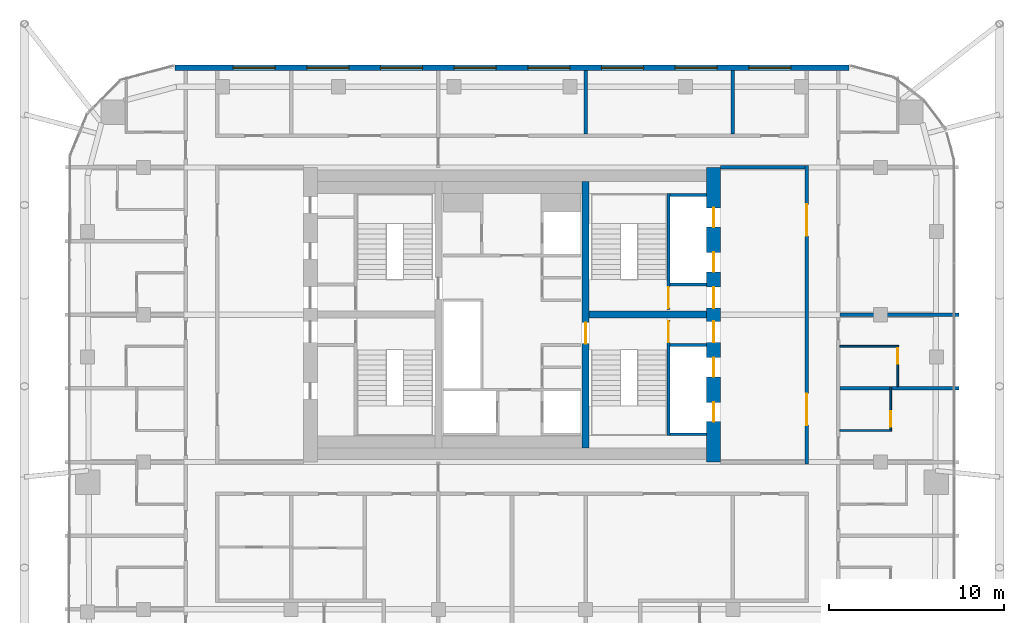
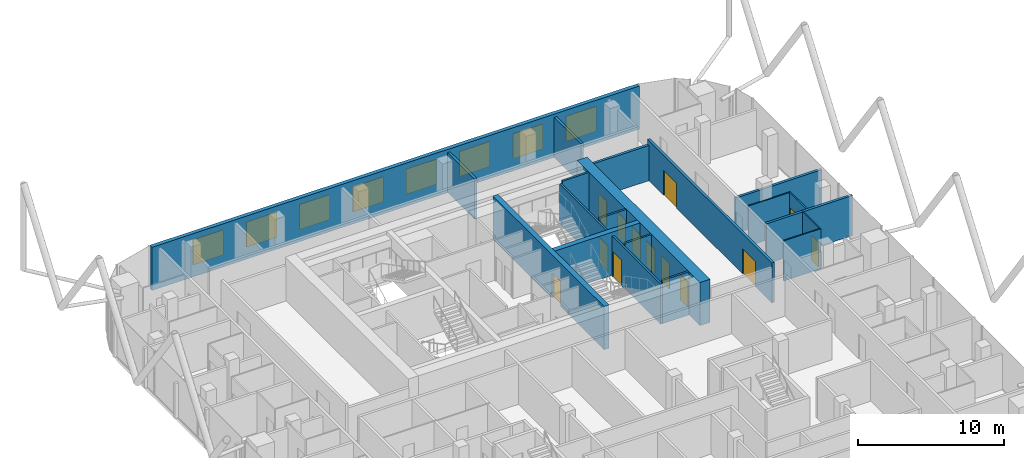
# One storey, part 29 of 31: 20 walls, 13 doors, 8 windows, 21 openings.
"""IFC4 building model written with IfcOpenShell, lengths in metres."""

from ifc_helpers import new_model, si_unit, direction, frame, frame_2d, origin, place, context, subcontext, project, spatial, rectangle, extrude, material, layer, layer_set, type_object, element, fill, save


model = new_model("IFC4")

# Units and contexts
model_context = context("Model", 3, precision=1e-05, world=origin(), true_north=direction((0.0, 1.0)))
body_context = subcontext(model_context, "Body", "Model", "MODEL_VIEW")
ifc_project = project(units=[si_unit("LENGTHUNIT", "METRE"), si_unit("AREAUNIT", "SQUARE_METRE"), si_unit("VOLUMEUNIT", "CUBIC_METRE"), si_unit("PLANEANGLEUNIT", "RADIAN"), si_unit("MASSUNIT", "GRAM", prefix="KILO")], contexts=[model_context])

# Site, building, storey
site_placement = place(None, origin())
site = spatial("IfcSite", under=ifc_project, at=site_placement, CompositionType="ELEMENT")
building_placement = place(site_placement, origin())
building = spatial("IfcBuilding", under=site, at=building_placement, Name="Marenta Gate Hotel Tower", CompositionType="ELEMENT")
storey_placement = place(building_placement, frame((0.0, 0.0, 191.300048828125)))
storey = spatial("IfcBuildingStorey", under=building, at=storey_placement, Name="L43", CompositionType="ELEMENT", Elevation=191.300048828125)

# Wall, openings, windows
ifc_material_1 = material(Name="Concrete C40 board-marked", Category="concrete")
ifc_layer_1 = layer(ifc_material_1, 0.300048828125)
ifc_layer_set_1 = layer_set([ifc_layer_1], Name="Concrete C40 board-marked")
wall_type_1 = type_object("IfcWallType", Name="Board-marked concrete wall 300 mm", PredefinedType="NOTDEFINED", material=ifc_layer_set_1)
wall_1_placement = place(storey_placement, frame((19.205810546875, 22.489990234375, 0.0), z_axis=(0.0, 0.0, 1.0), x_axis=(-1.0, 0.0, 0.0)))
wall_1 = element("IfcWall", 1, at=wall_1_placement, inside=storey, type_object=wall_type_1, Name="L43-CLD-N00", PredefinedType="NOTDEFINED", context=body_context, shape_type="SweptSolid", body=[
    extrude(rectangle(XDim=38.41162109375, YDim=0.300048828125, at=frame_2d((19.205810546875, 0.0))), origin(), (0.0, 0.0, 1.0), 3.599853515625),
])
opening_1_placement = place(wall_1_placement, frame((3.305908203125, 0.0, 0.89990234375)))
opening_1 = element("IfcOpeningElement", 2, at=opening_1_placement, cuts=wall_1, Name="Opening W1", PredefinedType="OPENING", context=body_context, shape_type="SweptSolid", body=[
    extrude(rectangle(XDim=2.39990234375, YDim=2.10009765625, at=frame_2d((1.199951171875, 1.050048828125))), frame((0.0, 0.14990234375, 0.0), z_axis=(0.0, -1.0, 0.0), x_axis=(1.0, 0.0, 0.0)), (0.0, 0.0, 1.0), 0.300048828125),
])
opening_2_placement = place(wall_1_placement, frame((7.505859375, 0.0, 0.89990234375)))
opening_2 = element("IfcOpeningElement", 3, at=opening_2_placement, cuts=wall_1, Name="Opening W1", PredefinedType="OPENING", context=body_context, shape_type="SweptSolid", body=[
    extrude(rectangle(XDim=2.39990234375, YDim=2.10009765625, at=frame_2d((1.199951171875, 1.050048828125))), frame((0.0, 0.14990234375, 0.0), z_axis=(0.0, -1.0, 0.0), x_axis=(1.0, 0.0, 0.0)), (0.0, 0.0, 1.0), 0.300048828125),
])
opening_3_placement = place(wall_1_placement, frame((11.705810546875, 0.0, 0.89990234375)))
opening_3 = element("IfcOpeningElement", 4, at=opening_3_placement, cuts=wall_1, Name="Opening W1", PredefinedType="OPENING", context=body_context, shape_type="SweptSolid", body=[
    extrude(rectangle(XDim=2.39990234375, YDim=2.10009765625, at=frame_2d((1.199951171875, 1.050048828125))), frame((0.0, 0.14990234375, 0.0), z_axis=(0.0, -1.0, 0.0), x_axis=(1.0, 0.0, 0.0)), (0.0, 0.0, 1.0), 0.300048828125),
])
opening_4_placement = place(wall_1_placement, frame((15.906005859375, 0.0, 0.89990234375)))
opening_4 = element("IfcOpeningElement", 5, at=opening_4_placement, cuts=wall_1, Name="Opening W1", PredefinedType="OPENING", context=body_context, shape_type="SweptSolid", body=[
    extrude(rectangle(XDim=2.39990234375, YDim=2.10009765625, at=frame_2d((1.199951171875, 1.050048828125))), frame((0.0, 0.14990234375, 0.0), z_axis=(0.0, -1.0, 0.0), x_axis=(1.0, 0.0, 0.0)), (0.0, 0.0, 1.0), 0.300048828125),
])
opening_5_placement = place(wall_1_placement, frame((20.10595703125, 0.0, 0.89990234375)))
opening_5 = element("IfcOpeningElement", 6, at=opening_5_placement, cuts=wall_1, Name="Opening W1", PredefinedType="OPENING", context=body_context, shape_type="SweptSolid", body=[
    extrude(rectangle(XDim=2.39990234375, YDim=2.10009765625, at=frame_2d((1.199951171875, 1.050048828125))), frame((0.0, 0.14990234375, 0.0), z_axis=(0.0, -1.0, 0.0), x_axis=(1.0, 0.0, 0.0)), (0.0, 0.0, 1.0), 0.300048828125),
])
opening_6_placement = place(wall_1_placement, frame((24.305908203125, 0.0, 0.89990234375)))
opening_6 = element("IfcOpeningElement", 7, at=opening_6_placement, cuts=wall_1, Name="Opening W1", PredefinedType="OPENING", context=body_context, shape_type="SweptSolid", body=[
    extrude(rectangle(XDim=2.39990234375, YDim=2.10009765625, at=frame_2d((1.199951171875, 1.050048828125))), frame((0.0, 0.14990234375, 0.0), z_axis=(0.0, -1.0, 0.0), x_axis=(1.0, 0.0, 0.0)), (0.0, 0.0, 1.0), 0.300048828125),
])
opening_7_placement = place(wall_1_placement, frame((28.505859375, 0.0, 0.89990234375)))
opening_7 = element("IfcOpeningElement", 8, at=opening_7_placement, cuts=wall_1, Name="Opening W1", PredefinedType="OPENING", context=body_context, shape_type="SweptSolid", body=[
    extrude(rectangle(XDim=2.39990234375, YDim=2.10009765625, at=frame_2d((1.199951171875, 1.050048828125))), frame((0.0, 0.14990234375, 0.0), z_axis=(0.0, -1.0, 0.0), x_axis=(1.0, 0.0, 0.0)), (0.0, 0.0, 1.0), 0.300048828125),
])
opening_8_placement = place(wall_1_placement, frame((32.705810546875, 0.0, 0.89990234375)))
opening_8 = element("IfcOpeningElement", 9, at=opening_8_placement, cuts=wall_1, Name="Opening W1", PredefinedType="OPENING", context=body_context, shape_type="SweptSolid", body=[
    extrude(rectangle(XDim=2.39990234375, YDim=2.10009765625, at=frame_2d((1.199951171875, 1.050048828125))), frame((0.0, 0.14990234375, 0.0), z_axis=(0.0, -1.0, 0.0), x_axis=(1.0, 0.0, 0.0)), (0.0, 0.0, 1.0), 0.300048828125),
])
ifc_material_2 = material(Name="Tinted insulated glass in bronze anodised frame", Category="glass")
window_type = type_object("IfcWindowType", Name="Window W1 2400x2100 bronze frame", PartitioningType="SINGLE_PANEL", PredefinedType="WINDOW", material=ifc_material_2)
window_1_placement = place(opening_1_placement, origin())
window_1 = element("IfcWindow", 10, at=window_1_placement, inside=storey, type_object=window_type, Name="Window W1", OverallHeight=2.10009765625, OverallWidth=2.39990234375, PartitioningType="SINGLE_PANEL", PredefinedType="WINDOW", context=body_context, shape_type="SweptSolid", body=[
    extrude(rectangle(XDim=2.39990234375, YDim=2.10009765625, at=frame_2d((1.199951171875, 1.050048828125))), frame((0.0, 0.030029296875, 0.0), z_axis=(0.0, -1.0, 0.0), x_axis=(1.0, 0.0, 0.0)), (0.0, 0.0, 1.0), 0.06005859375),
])
fill(opening_1, window_1)
window_2_placement = place(opening_2_placement, origin())
window_2 = element("IfcWindow", 11, at=window_2_placement, inside=storey, type_object=window_type, Name="Window W1", OverallHeight=2.10009765625, OverallWidth=2.39990234375, PartitioningType="SINGLE_PANEL", PredefinedType="WINDOW", context=body_context, shape_type="SweptSolid", body=[
    extrude(rectangle(XDim=2.39990234375, YDim=2.10009765625, at=frame_2d((1.199951171875, 1.050048828125))), frame((0.0, 0.030029296875, 0.0), z_axis=(0.0, -1.0, 0.0), x_axis=(1.0, 0.0, 0.0)), (0.0, 0.0, 1.0), 0.06005859375),
])
fill(opening_2, window_2)
window_3_placement = place(opening_3_placement, origin())
window_3 = element("IfcWindow", 12, at=window_3_placement, inside=storey, type_object=window_type, Name="Window W1", OverallHeight=2.10009765625, OverallWidth=2.39990234375, PartitioningType="SINGLE_PANEL", PredefinedType="WINDOW", context=body_context, shape_type="SweptSolid", body=[
    extrude(rectangle(XDim=2.39990234375, YDim=2.10009765625, at=frame_2d((1.199951171875, 1.050048828125))), frame((0.0, 0.030029296875, 0.0), z_axis=(0.0, -1.0, 0.0), x_axis=(1.0, 0.0, 0.0)), (0.0, 0.0, 1.0), 0.06005859375),
])
fill(opening_3, window_3)
window_4_placement = place(opening_4_placement, origin())
window_4 = element("IfcWindow", 13, at=window_4_placement, inside=storey, type_object=window_type, Name="Window W1", OverallHeight=2.10009765625, OverallWidth=2.39990234375, PartitioningType="SINGLE_PANEL", PredefinedType="WINDOW", context=body_context, shape_type="SweptSolid", body=[
    extrude(rectangle(XDim=2.39990234375, YDim=2.10009765625, at=frame_2d((1.199951171875, 1.050048828125))), frame((0.0, 0.030029296875, 0.0), z_axis=(0.0, -1.0, 0.0), x_axis=(1.0, 0.0, 0.0)), (0.0, 0.0, 1.0), 0.06005859375),
])
fill(opening_4, window_4)
window_5_placement = place(opening_5_placement, origin())
window_5 = element("IfcWindow", 14, at=window_5_placement, inside=storey, type_object=window_type, Name="Window W1", OverallHeight=2.10009765625, OverallWidth=2.39990234375, PartitioningType="SINGLE_PANEL", PredefinedType="WINDOW", context=body_context, shape_type="SweptSolid", body=[
    extrude(rectangle(XDim=2.39990234375, YDim=2.10009765625, at=frame_2d((1.199951171875, 1.050048828125))), frame((0.0, 0.030029296875, 0.0), z_axis=(0.0, -1.0, 0.0), x_axis=(1.0, 0.0, 0.0)), (0.0, 0.0, 1.0), 0.06005859375),
])
fill(opening_5, window_5)
window_6_placement = place(opening_6_placement, origin())
window_6 = element("IfcWindow", 15, at=window_6_placement, inside=storey, type_object=window_type, Name="Window W1", OverallHeight=2.10009765625, OverallWidth=2.39990234375, PartitioningType="SINGLE_PANEL", PredefinedType="WINDOW", context=body_context, shape_type="SweptSolid", body=[
    extrude(rectangle(XDim=2.39990234375, YDim=2.10009765625, at=frame_2d((1.199951171875, 1.050048828125))), frame((0.0, 0.030029296875, 0.0), z_axis=(0.0, -1.0, 0.0), x_axis=(1.0, 0.0, 0.0)), (0.0, 0.0, 1.0), 0.06005859375),
])
fill(opening_6, window_6)
window_7_placement = place(opening_7_placement, origin())
window_7 = element("IfcWindow", 16, at=window_7_placement, inside=storey, type_object=window_type, Name="Window W1", OverallHeight=2.10009765625, OverallWidth=2.39990234375, PartitioningType="SINGLE_PANEL", PredefinedType="WINDOW", context=body_context, shape_type="SweptSolid", body=[
    extrude(rectangle(XDim=2.39990234375, YDim=2.10009765625, at=frame_2d((1.199951171875, 1.050048828125))), frame((0.0, 0.030029296875, 0.0), z_axis=(0.0, -1.0, 0.0), x_axis=(1.0, 0.0, 0.0)), (0.0, 0.0, 1.0), 0.06005859375),
])
fill(opening_7, window_7)
window_8_placement = place(opening_8_placement, origin())
window_8 = element("IfcWindow", 17, at=window_8_placement, inside=storey, type_object=window_type, Name="Window W1", OverallHeight=2.10009765625, OverallWidth=2.39990234375, PartitioningType="SINGLE_PANEL", PredefinedType="WINDOW", context=body_context, shape_type="SweptSolid", body=[
    extrude(rectangle(XDim=2.39990234375, YDim=2.10009765625, at=frame_2d((1.199951171875, 1.050048828125))), frame((0.0, 0.030029296875, 0.0), z_axis=(0.0, -1.0, 0.0), x_axis=(1.0, 0.0, 0.0)), (0.0, 0.0, 1.0), 0.06005859375),
])
fill(opening_8, window_8)

# Wall, openings, doors
ifc_material_3 = material(Name="Concrete blockwork", Category="masonry")
ifc_layer_2 = layer(ifc_material_3, 0.199951171875)
ifc_layer_set_2 = layer_set([ifc_layer_2], Name="Concrete blockwork")
wall_type_2 = type_object("IfcWallType", Name="Core boundary wall 200 REI 180", PredefinedType="PARTITIONING", material=ifc_layer_set_2)
wall_2_placement = place(storey_placement, frame((16.800048828125, -0.10009765625, 0.0), z_axis=(0.0, 0.0, 1.0), x_axis=(0.0, 1.0, 0.0)))
wall_2 = element("IfcWall", 18, at=wall_2_placement, inside=storey, type_object=wall_type_2, Name="L43-CP-BW-E", PredefinedType="PARTITIONING", context=body_context, shape_type="SweptSolid", body=[
    extrude(rectangle(XDim=17.0, YDim=0.199951171875, at=frame_2d((8.5, 0.0))), origin(), (0.0, 0.0, 1.0), 3.33984375),
])
opening_9_placement = place(wall_2_placement, frame((2.199951171875, 0.0, 0.0)))
opening_9 = element("IfcOpeningElement", 19, at=opening_9_placement, cuts=wall_2, Name="Opening ED-Ea-B", PredefinedType="OPENING", context=body_context, shape_type="SweptSolid", body=[
    extrude(rectangle(XDim=1.800048828125, YDim=2.10009765625, at=frame_2d((0.89990234375, 1.050048828125))), frame((0.0, 0.10009765625, 0.0), z_axis=(0.0, -1.0, 0.0), x_axis=(1.0, 0.0, 0.0)), (0.0, 0.0, 1.0), 0.199951171875),
])
opening_10_placement = place(wall_2_placement, frame((13.0, 0.0, 0.0)))
opening_10 = element("IfcOpeningElement", 20, at=opening_10_placement, cuts=wall_2, Name="Opening ED-Eb-B", PredefinedType="OPENING", context=body_context, shape_type="SweptSolid", body=[
    extrude(rectangle(XDim=1.800048828125, YDim=2.10009765625, at=frame_2d((0.89990234375, 1.050048828125))), frame((0.0, 0.10009765625, 0.0), z_axis=(0.0, -1.0, 0.0), x_axis=(1.0, 0.0, 0.0)), (0.0, 0.0, 1.0), 0.199951171875),
])
ifc_material_4 = material(Name="Steel", Category="steel")
door_type_1 = type_object("IfcDoorType", Name="Core lobby entrance door 1800x2100 EI 60", OperationType="DOUBLE_DOOR_SINGLE_SWING", PredefinedType="DOOR", material=ifc_material_4)
door_1_placement = place(opening_9_placement, origin())
door_1 = element("IfcDoor", 21, at=door_1_placement, inside=storey, type_object=door_type_1, Name="ED-Ea-B", OperationType="DOUBLE_DOOR_SINGLE_SWING", OverallHeight=2.10009765625, OverallWidth=1.800048828125, PredefinedType="DOOR", context=body_context, shape_type="SweptSolid", body=[
    extrude(rectangle(XDim=1.800048828125, YDim=2.10009765625, at=frame_2d((0.89990234375, 1.050048828125))), frame((0.0, 0.02490234375, 0.0), z_axis=(0.0, -1.0, 0.0), x_axis=(1.0, 0.0, 0.0)), (0.0, 0.0, 1.0), 0.050048828125),
])
fill(opening_9, door_1)
door_2_placement = place(opening_10_placement, origin())
door_2 = element("IfcDoor", 22, at=door_2_placement, inside=storey, type_object=door_type_1, Name="ED-Eb-B", OperationType="DOUBLE_DOOR_SINGLE_SWING", OverallHeight=2.10009765625, OverallWidth=1.800048828125, PredefinedType="DOOR", context=body_context, shape_type="SweptSolid", body=[
    extrude(rectangle(XDim=1.800048828125, YDim=2.10009765625, at=frame_2d((0.89990234375, 1.050048828125))), frame((0.0, 0.02490234375, 0.0), z_axis=(0.0, -1.0, 0.0), x_axis=(1.0, 0.0, 0.0)), (0.0, 0.0, 1.0), 0.050048828125),
])
fill(opening_10, door_2)

# Walls
wall_3_placement = place(storey_placement, frame((11.89990234375, 16.800048828125, 0.0), z_axis=(0.0, 0.0, 1.0), x_axis=(1.0, 0.0, 0.0)))
element("IfcWall", 23, at=wall_3_placement, inside=storey, type_object=wall_type_2, Name="L43-CP-EW-EN", PredefinedType="PARTITIONING", context=body_context, shape_type="SweptSolid", body=[
    extrude(rectangle(XDim=4.800048828125, YDim=0.199951171875, at=frame_2d((2.39990234375, 0.0))), origin(), (0.0, 0.0, 1.0), 2.93994140625),
])
ifc_material_5 = material(Name="Concrete C40", Category="concrete")
ifc_layer_3 = layer(ifc_material_5, 0.14990234375)
ifc_layer_set_3 = layer_set([ifc_layer_3], Name="Concrete C40")
wall_type_3 = type_object("IfcWallType", Name="Core shaft wall 150 REI 180", PredefinedType="SHEAR", material=ifc_layer_set_3)
for number, where, z_axis, x_axis, name in (
    (24, (9.0, 6.675048828125, 0.0), (0.0, 0.0, 1.0), (1.0, 0.0, 0.0), "L43-SHF-SW-ES-2"),
    (25, (9.0, 1.574951171875, 0.0), (0.0, 0.0, 1.0), (1.0, 0.0, 0.0), "L43-SHF-SW-ES-5"),
    (26, (9.0, 10.125, 0.0), (0.0, 0.0, 1.0), (1.0, 0.0, 0.0), "L43-SHF-SW-EN-2"),
    (27, (9.0, 15.22509765625, 0.0), (0.0, 0.0, 1.0), (1.0, 0.0, 0.0), "L43-SHF-SW-EN-5"),
):
    element("IfcWall", number, at=place(storey_placement, frame(where, z_axis=z_axis, x_axis=x_axis)), inside=storey, type_object=wall_type_3, Name=name, PredefinedType="SHEAR", context=body_context, shape_type="SweptSolid", body=[
        extrude(rectangle(XDim=2.10009765625, YDim=0.14990234375, at=frame_2d((1.050048828125, 0.0))), origin(), (0.0, 0.0, 1.0), 3.599853515625),
    ])

# Wall, opening, door
ifc_material_6 = material(Name="Concrete C40", Category="concrete")
ifc_layer_4 = layer(ifc_material_6, 0.14990234375)
ifc_layer_set_4 = layer_set([ifc_layer_4], Name="Concrete C40")
wall_type_4 = type_object("IfcWallType", Name="Core stair enclosure wall 150 REI 180", PredefinedType="SHEAR", material=ifc_layer_set_4)
wall_4_placement = place(storey_placement, frame((8.925048828125, 1.5, 0.0), z_axis=(0.0, 0.0, 1.0), x_axis=(0.0, 1.0, 0.0)))
wall_4 = element("IfcWall", 28, at=wall_4_placement, inside=storey, type_object=wall_type_4, Name="L43-SHF-SW-ES-3", PredefinedType="SHEAR", context=body_context, shape_type="SweptSolid", body=[
    extrude(rectangle(XDim=6.60009765625, YDim=0.14990234375, at=frame_2d((3.300048828125, 0.0))), origin(), (0.0, 0.0, 1.0), 3.33984375),
])
opening_11_placement = place(wall_4_placement, frame((5.324951171875, 0.0, 0.0)))
opening_11 = element("IfcOpeningElement", 29, at=opening_11_placement, cuts=wall_4, Name="Opening SD-ES", PredefinedType="OPENING", context=body_context, shape_type="SweptSolid", body=[
    extrude(rectangle(XDim=1.199951171875, YDim=2.10009765625, at=frame_2d((0.60009765625, 1.050048828125))), frame((0.0, 0.074951171875, 0.0), z_axis=(0.0, -1.0, 0.0), x_axis=(1.0, 0.0, 0.0)), (0.0, 0.0, 1.0), 0.14990234375),
])
ifc_material_7 = material(Name="Steel", Category="steel")
door_type_2 = type_object("IfcDoorType", Name="Core stair door 1200x2100 FD60", OperationType="SINGLE_SWING_LEFT", PredefinedType="DOOR", material=ifc_material_7)
door_3_placement = place(opening_11_placement, origin())
door_3 = element("IfcDoor", 30, at=door_3_placement, inside=storey, type_object=door_type_2, Name="SD-ES", OperationType="SINGLE_SWING_LEFT", OverallHeight=2.10009765625, OverallWidth=1.199951171875, PredefinedType="DOOR", context=body_context, shape_type="SweptSolid", body=[
    extrude(rectangle(XDim=1.199951171875, YDim=2.10009765625, at=frame_2d((0.60009765625, 1.050048828125))), frame((0.0, 0.02490234375, 0.0), z_axis=(0.0, -1.0, 0.0), x_axis=(1.0, 0.0, 0.0)), (0.0, 0.0, 1.0), 0.050048828125),
])
fill(opening_11, door_3)

wall_5_placement = place(storey_placement, frame((8.925048828125, 8.699951171875, 0.0), z_axis=(0.0, 0.0, 1.0), x_axis=(0.0, 1.0, 0.0)))
wall_5 = element("IfcWall", 31, at=wall_5_placement, inside=storey, type_object=wall_type_4, Name="L43-SHF-SW-EN-3", PredefinedType="SHEAR", context=body_context, shape_type="SweptSolid", body=[
    extrude(rectangle(XDim=6.60009765625, YDim=0.14990234375, at=frame_2d((3.300048828125, 0.0))), origin(), (0.0, 0.0, 1.0), 3.33984375),
])
opening_12_placement = place(wall_5_placement, frame((0.074951171875, 0.0, 0.0)))
opening_12 = element("IfcOpeningElement", 32, at=opening_12_placement, cuts=wall_5, Name="Opening SD-EN", PredefinedType="OPENING", context=body_context, shape_type="SweptSolid", body=[
    extrude(rectangle(XDim=1.199951171875, YDim=2.10009765625, at=frame_2d((0.60009765625, 1.050048828125))), frame((0.0, 0.074951171875, 0.0), z_axis=(0.0, -1.0, 0.0), x_axis=(1.0, 0.0, 0.0)), (0.0, 0.0, 1.0), 0.14990234375),
])
door_4_placement = place(opening_12_placement, origin())
door_4 = element("IfcDoor", 33, at=door_4_placement, inside=storey, type_object=door_type_2, Name="SD-EN", OperationType="SINGLE_SWING_LEFT", OverallHeight=2.10009765625, OverallWidth=1.199951171875, PredefinedType="DOOR", context=body_context, shape_type="SweptSolid", body=[
    extrude(rectangle(XDim=1.199951171875, YDim=2.10009765625, at=frame_2d((0.60009765625, 1.050048828125))), frame((0.0, 0.02490234375, 0.0), z_axis=(0.0, -1.0, 0.0), x_axis=(1.0, 0.0, 0.0)), (0.0, 0.0, 1.0), 0.050048828125),
])
fill(opening_12, door_4)

# Wall, openings, doors
ifc_material_8 = material(Name="Concrete C60", Category="concrete")
ifc_layer_5 = layer(ifc_material_8, 0.800048828125)
ifc_layer_set_5 = layer_set([ifc_layer_5], Name="Concrete C60")
wall_type_5 = type_object("IfcWallType", Name="Core wall 800 C60", PredefinedType="SHEAR", material=ifc_layer_set_5)
wall_6_placement = place(storey_placement, frame((11.5, 0.0, 0.0), z_axis=(0.0, 0.0, 1.0), x_axis=(0.0, 1.0, 0.0)))
wall_6 = element("IfcWall", 34, at=wall_6_placement, inside=storey, type_object=wall_type_5, Name="L43-CORE-E", PredefinedType="SHEAR", context=body_context, shape_type="SweptSolid", body=[
    extrude(rectangle(XDim=16.800048828125, YDim=0.800048828125, at=frame_2d((8.39990234375, 0.0))), origin(), (0.0, 0.0, 1.0), 3.599853515625),
])
opening_13_placement = place(wall_6_placement, frame((2.300048828125, 0.0, 0.0)))
opening_13 = element("IfcOpeningElement", 35, at=opening_13_placement, cuts=wall_6, Name="Opening LD-HR1", PredefinedType="OPENING", context=body_context, shape_type="SweptSolid", body=[
    extrude(rectangle(XDim=1.10009765625, YDim=2.10009765625, at=frame_2d((0.550048828125, 1.050048828125))), frame((0.0, 0.39990234375, 0.0), z_axis=(0.0, -1.0, 0.0), x_axis=(1.0, 0.0, 0.0)), (0.0, 0.0, 1.0), 0.800048828125),
])
opening_14_placement = place(wall_6_placement, frame((4.85009765625, 0.0, 0.0)))
opening_14 = element("IfcOpeningElement", 36, at=opening_14_placement, cuts=wall_6, Name="Opening LD-HR2", PredefinedType="OPENING", context=body_context, shape_type="SweptSolid", body=[
    extrude(rectangle(XDim=1.10009765625, YDim=2.10009765625, at=frame_2d((0.550048828125, 1.050048828125))), frame((0.0, 0.39990234375, 0.0), z_axis=(0.0, -1.0, 0.0), x_axis=(1.0, 0.0, 0.0)), (0.0, 0.0, 1.0), 0.800048828125),
])
opening_15_placement = place(wall_6_placement, frame((6.824951171875, 0.0, 0.0)))
opening_15 = element("IfcOpeningElement", 37, at=opening_15_placement, cuts=wall_6, Name="Opening PD-ES", PredefinedType="OPENING", context=body_context, shape_type="SweptSolid", body=[
    extrude(rectangle(XDim=1.199951171875, YDim=2.10009765625, at=frame_2d((0.60009765625, 1.050048828125))), frame((0.0, 0.39990234375, 0.0), z_axis=(0.0, -1.0, 0.0), x_axis=(1.0, 0.0, 0.0)), (0.0, 0.0, 1.0), 0.800048828125),
])
opening_16_placement = place(wall_6_placement, frame((13.39990234375, 0.0, 0.0)))
opening_16 = element("IfcOpeningElement", 38, at=opening_16_placement, cuts=wall_6, Name="Opening LD-HR4", PredefinedType="OPENING", context=body_context, shape_type="SweptSolid", body=[
    extrude(rectangle(XDim=1.10009765625, YDim=2.10009765625, at=frame_2d((0.550048828125, 1.050048828125))), frame((0.0, 0.39990234375, 0.0), z_axis=(0.0, -1.0, 0.0), x_axis=(1.0, 0.0, 0.0)), (0.0, 0.0, 1.0), 0.800048828125),
])
opening_17_placement = place(wall_6_placement, frame((10.85009765625, 0.0, 0.0)))
opening_17 = element("IfcOpeningElement", 39, at=opening_17_placement, cuts=wall_6, Name="Opening LD-HR3", PredefinedType="OPENING", context=body_context, shape_type="SweptSolid", body=[
    extrude(rectangle(XDim=1.10009765625, YDim=2.10009765625, at=frame_2d((0.550048828125, 1.050048828125))), frame((0.0, 0.39990234375, 0.0), z_axis=(0.0, -1.0, 0.0), x_axis=(1.0, 0.0, 0.0)), (0.0, 0.0, 1.0), 0.800048828125),
])
opening_18_placement = place(wall_6_placement, frame((8.77490234375, 0.0, 0.0)))
opening_18 = element("IfcOpeningElement", 40, at=opening_18_placement, cuts=wall_6, Name="Opening PD-EN", PredefinedType="OPENING", context=body_context, shape_type="SweptSolid", body=[
    extrude(rectangle(XDim=1.199951171875, YDim=2.10009765625, at=frame_2d((0.60009765625, 1.050048828125))), frame((0.0, 0.39990234375, 0.0), z_axis=(0.0, -1.0, 0.0), x_axis=(1.0, 0.0, 0.0)), (0.0, 0.0, 1.0), 0.800048828125),
])
ifc_material_9 = material(Name="Steel", Category="steel")
door_type_3 = type_object("IfcDoorType", Name="Core lift landing door 1100x2100 E 60", OperationType="SLIDING_TO_LEFT", PredefinedType="DOOR", material=ifc_material_9)
door_5_placement = place(opening_13_placement, origin())
door_5 = element("IfcDoor", 41, at=door_5_placement, inside=storey, type_object=door_type_3, Name="LD-HR1", OperationType="SLIDING_TO_LEFT", OverallHeight=2.10009765625, OverallWidth=1.10009765625, PredefinedType="DOOR", context=body_context, shape_type="SweptSolid", body=[
    extrude(rectangle(XDim=1.10009765625, YDim=2.10009765625, at=frame_2d((0.550048828125, 1.050048828125))), frame((0.0, 0.02490234375, 0.0), z_axis=(0.0, -1.0, 0.0), x_axis=(1.0, 0.0, 0.0)), (0.0, 0.0, 1.0), 0.050048828125),
])
fill(opening_13, door_5)
door_6_placement = place(opening_14_placement, origin())
door_6 = element("IfcDoor", 42, at=door_6_placement, inside=storey, type_object=door_type_3, Name="LD-HR2", OperationType="SLIDING_TO_LEFT", OverallHeight=2.10009765625, OverallWidth=1.10009765625, PredefinedType="DOOR", context=body_context, shape_type="SweptSolid", body=[
    extrude(rectangle(XDim=1.10009765625, YDim=2.10009765625, at=frame_2d((0.550048828125, 1.050048828125))), frame((0.0, 0.02490234375, 0.0), z_axis=(0.0, -1.0, 0.0), x_axis=(1.0, 0.0, 0.0)), (0.0, 0.0, 1.0), 0.050048828125),
])
fill(opening_14, door_6)
door_7_placement = place(opening_16_placement, origin())
door_7 = element("IfcDoor", 43, at=door_7_placement, inside=storey, type_object=door_type_3, Name="LD-HR4", OperationType="SLIDING_TO_LEFT", OverallHeight=2.10009765625, OverallWidth=1.10009765625, PredefinedType="DOOR", context=body_context, shape_type="SweptSolid", body=[
    extrude(rectangle(XDim=1.10009765625, YDim=2.10009765625, at=frame_2d((0.550048828125, 1.050048828125))), frame((0.0, 0.02490234375, 0.0), z_axis=(0.0, -1.0, 0.0), x_axis=(1.0, 0.0, 0.0)), (0.0, 0.0, 1.0), 0.050048828125),
])
fill(opening_16, door_7)
door_8_placement = place(opening_17_placement, origin())
door_8 = element("IfcDoor", 44, at=door_8_placement, inside=storey, type_object=door_type_3, Name="LD-HR3", OperationType="SLIDING_TO_LEFT", OverallHeight=2.10009765625, OverallWidth=1.10009765625, PredefinedType="DOOR", context=body_context, shape_type="SweptSolid", body=[
    extrude(rectangle(XDim=1.10009765625, YDim=2.10009765625, at=frame_2d((0.550048828125, 1.050048828125))), frame((0.0, 0.02490234375, 0.0), z_axis=(0.0, -1.0, 0.0), x_axis=(1.0, 0.0, 0.0)), (0.0, 0.0, 1.0), 0.050048828125),
])
fill(opening_17, door_8)
ifc_material_10 = material(Name="Steel", Category="steel")
door_type_4 = type_object("IfcDoorType", Name="Core lobby door 1200x2100 FD60", OperationType="SINGLE_SWING_LEFT", PredefinedType="DOOR", material=ifc_material_10)
door_9_placement = place(opening_15_placement, origin())
door_9 = element("IfcDoor", 45, at=door_9_placement, inside=storey, type_object=door_type_4, Name="PD-ES", OperationType="SINGLE_SWING_LEFT", OverallHeight=2.10009765625, OverallWidth=1.199951171875, PredefinedType="DOOR", context=body_context, shape_type="SweptSolid", body=[
    extrude(rectangle(XDim=1.199951171875, YDim=2.10009765625, at=frame_2d((0.60009765625, 1.050048828125))), frame((0.0, 0.02490234375, 0.0), z_axis=(0.0, -1.0, 0.0), x_axis=(1.0, 0.0, 0.0)), (0.0, 0.0, 1.0), 0.050048828125),
])
fill(opening_15, door_9)
door_10_placement = place(opening_18_placement, origin())
door_10 = element("IfcDoor", 46, at=door_10_placement, inside=storey, type_object=door_type_4, Name="PD-EN", OperationType="SINGLE_SWING_LEFT", OverallHeight=2.10009765625, OverallWidth=1.199951171875, PredefinedType="DOOR", context=body_context, shape_type="SweptSolid", body=[
    extrude(rectangle(XDim=1.199951171875, YDim=2.10009765625, at=frame_2d((0.60009765625, 1.050048828125))), frame((0.0, 0.02490234375, 0.0), z_axis=(0.0, -1.0, 0.0), x_axis=(1.0, 0.0, 0.0)), (0.0, 0.0, 1.0), 0.050048828125),
])
fill(opening_18, door_10)

# Wall, opening, door
ifc_material_11 = material(Name="Concrete C60", Category="concrete")
ifc_layer_6 = layer(ifc_material_11, 0.39990234375)
ifc_layer_set_6 = layer_set([ifc_layer_6], Name="Concrete C60")
wall_type_6 = type_object("IfcWallType", Name="Core web 400 C60", PredefinedType="SHEAR", material=ifc_layer_set_6)
wall_7_placement = place(storey_placement, frame((4.199951171875, 0.800048828125, 0.0), z_axis=(0.0, 0.0, 1.0), x_axis=(0.0, 1.0, 0.0)))
wall_7 = element("IfcWall", 47, at=wall_7_placement, inside=storey, type_object=wall_type_6, Name="L43-CORE-W2", PredefinedType="SHEAR", context=body_context, shape_type="SweptSolid", body=[
    extrude(rectangle(XDim=15.199951171875, YDim=0.39990234375, at=frame_2d((7.60009765625, 0.0))), origin(), (0.0, 0.0, 1.0), 3.599853515625),
])
opening_19_placement = place(wall_7_placement, frame((5.949951171875, 0.0, 0.0)))
opening_19 = element("IfcOpeningElement", 48, at=opening_19_placement, cuts=wall_7, Name="Opening WD-E", PredefinedType="OPENING", context=body_context, shape_type="SweptSolid", body=[
    extrude(rectangle(XDim=1.199951171875, YDim=2.10009765625, at=frame_2d((0.60009765625, 1.050048828125))), frame((0.0, 0.199951171875, 0.0), z_axis=(0.0, -1.0, 0.0), x_axis=(1.0, 0.0, 0.0)), (0.0, 0.0, 1.0), 0.39990234375),
])
door_11_placement = place(opening_19_placement, origin())
door_11 = element("IfcDoor", 49, at=door_11_placement, inside=storey, type_object=door_type_2, Name="WD-E", OperationType="SINGLE_SWING_LEFT", OverallHeight=2.10009765625, OverallWidth=1.199951171875, PredefinedType="DOOR", context=body_context, shape_type="SweptSolid", body=[
    extrude(rectangle(XDim=1.199951171875, YDim=2.10009765625, at=frame_2d((0.60009765625, 1.050048828125))), frame((0.0, 0.02490234375, 0.0), z_axis=(0.0, -1.0, 0.0), x_axis=(1.0, 0.0, 0.0)), (0.0, 0.0, 1.0), 0.050048828125),
])
fill(opening_19, door_11)

# Wall
wall_8_placement = place(storey_placement, frame((4.39990234375, 8.39990234375, 0.0), z_axis=(0.0, 0.0, 1.0), x_axis=(1.0, 0.0, 0.0)))
element("IfcWall", 50, at=wall_8_placement, inside=storey, type_object=wall_type_6, Name="L43-CORE-W4", PredefinedType="SHEAR", context=body_context, shape_type="SweptSolid", body=[
    extrude(rectangle(XDim=6.7001953125, YDim=0.39990234375, at=frame_2d((3.35009765625, 0.0))), origin(), (0.0, 0.0, 1.0), 3.599853515625),
])

# Wall, opening, door
ifc_material_12 = material(Name="Gypsum board on steel stud", Category="steel")
ifc_layer_7 = layer(ifc_material_12, 0.10009765625)
ifc_layer_set_7 = layer_set([ifc_layer_7], Name="Gypsum board on steel stud")
wall_type_7 = type_object("IfcWallType", Name="Room partition 100", PredefinedType="PARTITIONING", material=ifc_layer_set_7)
wall_9_placement = place(storey_placement, frame((22.0, 4.300048828125, 0.0), z_axis=(0.0, 0.0, 1.0), x_axis=(0.0, 1.0, 0.0)))
wall_9 = element("IfcWall", 51, at=wall_9_placement, inside=storey, type_object=wall_type_7, Name="L43-PTN-W011", PredefinedType="PARTITIONING", context=body_context, shape_type="SweptSolid", body=[
    extrude(rectangle(XDim=2.349853515625, YDim=0.10009765625, at=frame_2d((1.1748046875, 0.0))), origin(), (0.0, 0.0, 1.0), 3.33984375),
])
opening_20_placement = place(wall_9_placement, frame((1.300048828125, 0.0, 0.0)))
opening_20 = element("IfcOpeningElement", 52, at=opening_20_placement, cuts=wall_9, Name="Opening G15-33", PredefinedType="OPENING", context=body_context, shape_type="SweptSolid", body=[
    extrude(rectangle(XDim=0.89990234375, YDim=2.10009765625, at=frame_2d((0.449951171875, 1.050048828125))), frame((0.0, 0.050048828125, 0.0), z_axis=(0.0, -1.0, 0.0), x_axis=(1.0, 0.0, 0.0)), (0.0, 0.0, 1.0), 0.10009765625),
])
ifc_material_13 = material(Name="Timber door leaf", Category="wood")
door_type_5 = type_object("IfcDoorType", Name="Guest bathroom door 900x2100", OperationType="NOTDEFINED", PredefinedType="DOOR", material=ifc_material_13)
door_12_placement = place(opening_20_placement, origin())
door_12 = element("IfcDoor", 53, at=door_12_placement, inside=storey, type_object=door_type_5, Name="L43-PD-D033", OperationType="SINGLE_SWING_RIGHT", OverallHeight=2.10009765625, OverallWidth=0.89990234375, PredefinedType="DOOR", context=body_context, shape_type="SweptSolid", body=[
    extrude(rectangle(XDim=0.89990234375, YDim=2.10009765625, at=frame_2d((0.449951171875, 1.050048828125))), frame((0.0, 0.02490234375, 0.0), z_axis=(0.0, -1.0, 0.0), x_axis=(1.0, 0.0, 0.0)), (0.0, 0.0, 1.0), 0.050048828125),
])
fill(opening_20, door_12)

wall_10_placement = place(storey_placement, frame((21.60009765625, 1.85009765625, 0.0), z_axis=(0.0, 0.0, 1.0), x_axis=(0.0, 1.0, 0.0)))
wall_10 = element("IfcWall", 54, at=wall_10_placement, inside=storey, type_object=wall_type_7, Name="L43-PTN-W018", PredefinedType="PARTITIONING", context=body_context, shape_type="SweptSolid", body=[
    extrude(rectangle(XDim=2.449951171875, YDim=0.10009765625, at=frame_2d((1.22509765625, 0.0))), origin(), (0.0, 0.0, 1.0), 3.33984375),
])
opening_21_placement = place(wall_10_placement, frame((0.14990234375, 0.0, 0.0)))
opening_21 = element("IfcOpeningElement", 55, at=opening_21_placement, cuts=wall_10, Name="Opening G15-31", PredefinedType="OPENING", context=body_context, shape_type="SweptSolid", body=[
    extrude(rectangle(XDim=0.89990234375, YDim=2.10009765625, at=frame_2d((0.449951171875, 1.050048828125))), frame((0.0, 0.050048828125, 0.0), z_axis=(0.0, -1.0, 0.0), x_axis=(1.0, 0.0, 0.0)), (0.0, 0.0, 1.0), 0.10009765625),
])
door_13_placement = place(opening_21_placement, origin())
door_13 = element("IfcDoor", 56, at=door_13_placement, inside=storey, type_object=door_type_5, Name="L43-PD-D031", OperationType="SINGLE_SWING_LEFT", OverallHeight=2.10009765625, OverallWidth=0.89990234375, PredefinedType="DOOR", context=body_context, shape_type="SweptSolid", body=[
    extrude(rectangle(XDim=0.89990234375, YDim=2.10009765625, at=frame_2d((0.449951171875, 1.050048828125))), frame((0.0, 0.02490234375, 0.0), z_axis=(0.0, -1.0, 0.0), x_axis=(1.0, 0.0, 0.0)), (0.0, 0.0, 1.0), 0.050048828125),
])
fill(opening_21, door_13)

# Walls
wall_11_placement = place(storey_placement, frame((18.699951171875, 1.800048828125, 0.0), z_axis=(0.0, 0.0, 1.0), x_axis=(1.0, 0.0, 0.0)))
element("IfcWall", 57, at=wall_11_placement, inside=storey, type_object=wall_type_7, Name="L43-PTN-W078", PredefinedType="PARTITIONING", context=body_context, shape_type="SweptSolid", body=[
    extrude(rectangle(XDim=2.949951171875, YDim=0.10009765625, at=frame_2d((1.47509765625, 0.0))), origin(), (0.0, 0.0, 1.0), 3.33984375),
])
wall_12_placement = place(storey_placement, frame((18.699951171875, 6.60009765625, 0.0), z_axis=(0.0, 0.0, 1.0), x_axis=(1.0, 0.0, 0.0)))
element("IfcWall", 58, at=wall_12_placement, inside=storey, type_object=wall_type_7, Name="L43-PTN-W088", PredefinedType="PARTITIONING", context=body_context, shape_type="SweptSolid", body=[
    extrude(rectangle(XDim=3.25, YDim=0.10009765625, at=frame_2d((1.625, 0.0))), origin(), (0.0, 0.0, 1.0), 3.33984375),
])
ifc_material_14 = material(Name="Gypsum board on steel stud", Category="steel")
ifc_layer_8 = layer(ifc_material_14, 0.199951171875)
ifc_layer_set_8 = layer_set([ifc_layer_8], Name="Gypsum board on steel stud")
wall_type_8 = type_object("IfcWallType", Name="Room party wall 200 EI 60", PredefinedType="PARTITIONING", material=ifc_layer_set_8)
for number, where, z_axis, x_axis, name in (
    (59, (12.60009765625, 18.699951171875, 0.0), (0.0, 0.0, 1.0), (0.0, 1.0, 0.0), "L43-PTN-W041"),
    (60, (4.199951171875, 18.699951171875, 0.0), (0.0, 0.0, 1.0), (0.0, 1.0, 0.0), "L43-PTN-W067"),
):
    element("IfcWall", number, at=place(storey_placement, frame(where, z_axis=z_axis, x_axis=x_axis)), inside=storey, type_object=wall_type_8, Name=name, PredefinedType="PARTITIONING", context=body_context, shape_type="SweptSolid", body=[
        extrude(rectangle(XDim=3.64013671875, YDim=0.199951171875, at=frame_2d((1.820068359375, 0.0))), origin(), (0.0, 0.0, 1.0), 3.33984375),
    ])
wall_13_placement = place(storey_placement, frame((18.699951171875, 4.199951171875, 0.0), z_axis=(0.0, 0.0, 1.0), x_axis=(1.0, 0.0, 0.0)))
element("IfcWall", 61, at=wall_13_placement, inside=storey, type_object=wall_type_8, Name="L43-PTN-W084", PredefinedType="PARTITIONING", context=body_context, shape_type="SweptSolid", body=[
    extrude(rectangle(XDim=6.800048828125, YDim=0.199951171875, at=frame_2d((3.39990234375, 0.0))), origin(), (0.0, 0.0, 1.0), 3.33984375),
])
wall_14_placement = place(storey_placement, frame((18.699951171875, 8.39990234375, 0.0), z_axis=(0.0, 0.0, 1.0), x_axis=(1.0, 0.0, 0.0)))
element("IfcWall", 62, at=wall_14_placement, inside=storey, type_object=wall_type_8, Name="L43-PTN-W094", PredefinedType="PARTITIONING", context=body_context, shape_type="SweptSolid", body=[
    extrude(rectangle(XDim=6.800048828125, YDim=0.199951171875, at=frame_2d((3.39990234375, 0.0))), origin(), (0.0, 0.0, 1.0), 2.93994140625),
])

save(model, "model.ifc")
